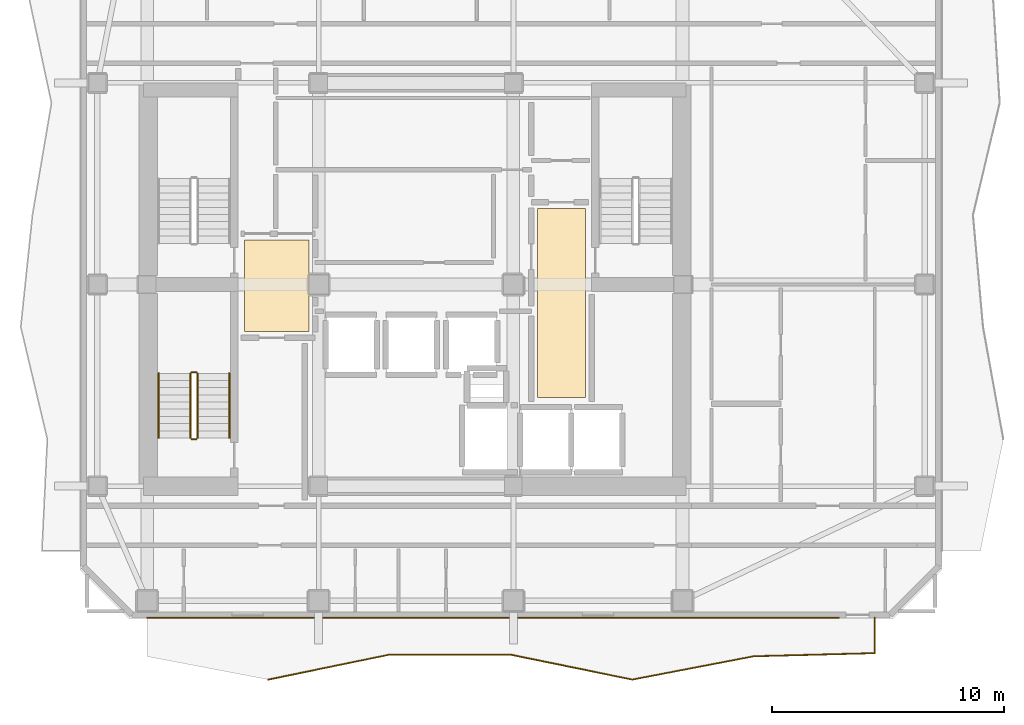
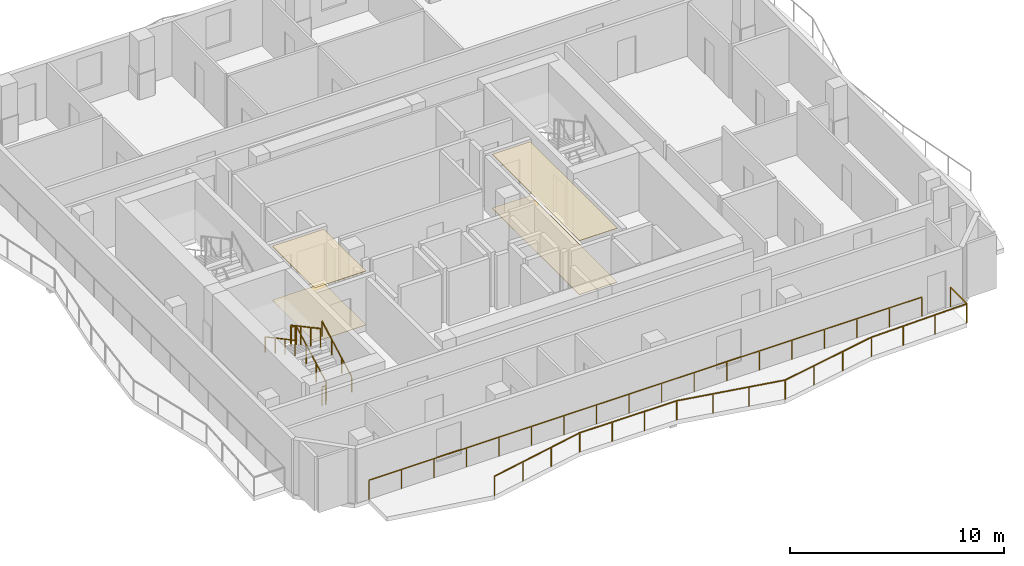
# One storey, part 7 of 9: 8 railings, 4 coverings.
"""IFC4 building model written with IfcOpenShell, lengths in metres."""

from ifc_helpers import new_model, si_unit, direction, frame, origin, origin_2d, place, context, subcontext, project, spatial, polyline, rectangle, outline, extrude, material, layer, layer_set, type_object, element, save


model = new_model("IFC4")

# Units and contexts
model_context = context("Model", 3, precision=1e-05, world=origin(), true_north=direction((0.0, 1.0)))
body_context = subcontext(model_context, "Body", "Model", "MODEL_VIEW")
ifc_project = project(units=[si_unit("LENGTHUNIT", "METRE"), si_unit("AREAUNIT", "SQUARE_METRE"), si_unit("VOLUMEUNIT", "CUBIC_METRE"), si_unit("PLANEANGLEUNIT", "RADIAN"), si_unit("MASSUNIT", "GRAM", prefix="KILO")], contexts=[model_context])

# Site, building, storey
site_placement = place(None, origin())
site = spatial("IfcSite", under=ifc_project, at=site_placement, CompositionType="ELEMENT")
building_placement = place(site_placement, origin())
building = spatial("IfcBuilding", under=site, at=building_placement, Name="Solanera Arch Residences", CompositionType="ELEMENT")
storey_placement = place(building_placement, frame((0.0, 0.0, 234.60009765625)))
storey = spatial("IfcBuildingStorey", under=building, at=storey_placement, Name="L68", CompositionType="ELEMENT", Elevation=234.60009765625)

# Railings
ifc_material_1 = material(Name="Steel S355 (ASTM A992 / A572 Grade 50)", Category="steel")
railing_type_1 = type_object("IfcRailingType", Name="Balustrade Railing BL-1100", PredefinedType="BALUSTRADE", material=ifc_material_1)
railing_1_placement = place(storey_placement, frame((18.633056640625, 13.652099609375, 0.0)))
element("IfcRailing", 1, at=railing_1_placement, inside=storey, type_object=railing_type_1, Name="L68 S Balcony Balustrade 1", PredefinedType="BALUSTRADE", context=body_context, shape_type="SweptSolid", body=[
    extrude(rectangle(XDim=0.048095703125, YDim=0.048095703125, at=origin_2d()), frame((0.0, 0.0, 1.09619140625), z_axis=(0.979409244872, 0.201884945102, 0.0), x_axis=(-0.201884945102, 0.979409244872, 0.0)), (0.0, 0.0, 1.0), 5.343994140625),
    extrude(rectangle(XDim=0.048095703125, YDim=0.048095703125, at=origin_2d()), frame((5.23388671875, 1.078857421875, 1.09619140625), z_axis=(0.999998814913, -0.001539536314, 0.0), x_axis=(0.001539536314, 0.999998814913, 0.0)), (0.0, 0.0, 1.0), 5.233154296875),
    extrude(rectangle(XDim=0.048095703125, YDim=0.048095703125, at=origin_2d()), frame((10.467041015625, 1.07080078125, 1.09619140625), z_axis=(0.979654112586, -0.200693347409, 0.0), x_axis=(0.200693347409, 0.979654112586, 0.0)), (0.0, 0.0, 1.0), 5.341552734375),
    extrude(rectangle(XDim=0.048095703125, YDim=0.048095703125, at=origin_2d()), frame((15.699951171875, -0.001220703125, 1.09619140625), z_axis=(0.982020820235, 0.188772637382, 0.0), x_axis=(-0.188772637382, 0.982020820235, 0.0)), (0.0, 0.0, 1.0), 5.32958984375),
    extrude(rectangle(XDim=0.048095703125, YDim=0.048095703125, at=origin_2d()), frame((20.933837890625, 1.0048828125, 1.09619140625), z_axis=(0.999667373717, 0.025790345587, 0.0), x_axis=(-0.025790345587, 0.999667373717, 0.0)), (0.0, 0.0, 1.0), 5.23486328125),
    extrude(rectangle(XDim=0.048095703125, YDim=0.048095703125, at=origin_2d()), frame((26.1669921875, 1.139892578125, 1.09619140625), z_axis=(0.0, 1.0, 0.0), x_axis=(-1.0, 0.0, 0.0)), (0.0, 0.0, 1.0), 1.528076171875),
    extrude(rectangle(XDim=0.0419921875, YDim=0.0419921875, at=origin_2d()), origin(), (0.0, 0.0, 1.0), 1.072021484375),
    extrude(rectangle(XDim=0.0419921875, YDim=0.0419921875, at=origin_2d()), frame((1.74462890625, 0.359619140625, 0.0)), (0.0, 0.0, 1.0), 1.072021484375),
    extrude(rectangle(XDim=0.0419921875, YDim=0.0419921875, at=origin_2d()), frame((3.4892578125, 0.71923828125, 0.0)), (0.0, 0.0, 1.0), 1.072021484375),
    extrude(rectangle(XDim=0.0419921875, YDim=0.0419921875, at=origin_2d()), frame((5.23388671875, 1.078857421875, 0.0)), (0.0, 0.0, 1.0), 1.072021484375),
    extrude(rectangle(XDim=0.0419921875, YDim=0.0419921875, at=origin_2d()), frame((6.978271484375, 1.076171875, 0.0)), (0.0, 0.0, 1.0), 1.072021484375),
    extrude(rectangle(XDim=0.0419921875, YDim=0.0419921875, at=origin_2d()), frame((8.72265625, 1.073486328125, 0.0)), (0.0, 0.0, 1.0), 1.072021484375),
    extrude(rectangle(XDim=0.0419921875, YDim=0.0419921875, at=origin_2d()), frame((10.467041015625, 1.07080078125, 0.0)), (0.0, 0.0, 1.0), 1.072021484375),
    extrude(rectangle(XDim=0.0419921875, YDim=0.0419921875, at=origin_2d()), frame((12.21142578125, 0.71337890625, 0.0)), (0.0, 0.0, 1.0), 1.072021484375),
    extrude(rectangle(XDim=0.0419921875, YDim=0.0419921875, at=origin_2d()), frame((13.95556640625, 0.356201171875, 0.0)), (0.0, 0.0, 1.0), 1.072021484375),
    extrude(rectangle(XDim=0.0419921875, YDim=0.0419921875, at=origin_2d()), frame((15.699951171875, -0.001220703125, 0.0)), (0.0, 0.0, 1.0), 1.072021484375),
    extrude(rectangle(XDim=0.0419921875, YDim=0.0419921875, at=origin_2d()), frame((17.444580078125, 0.334228515625, 0.0)), (0.0, 0.0, 1.0), 1.072021484375),
    extrude(rectangle(XDim=0.0419921875, YDim=0.0419921875, at=origin_2d()), frame((19.189208984375, 0.66943359375, 0.0)), (0.0, 0.0, 1.0), 1.072021484375),
    extrude(rectangle(XDim=0.0419921875, YDim=0.0419921875, at=origin_2d()), frame((20.933837890625, 1.0048828125, 0.0)), (0.0, 0.0, 1.0), 1.072021484375),
    extrude(rectangle(XDim=0.0419921875, YDim=0.0419921875, at=origin_2d()), frame((22.67822265625, 1.0498046875, 0.0)), (0.0, 0.0, 1.0), 1.072021484375),
    extrude(rectangle(XDim=0.0419921875, YDim=0.0419921875, at=origin_2d()), frame((24.422607421875, 1.094970703125, 0.0)), (0.0, 0.0, 1.0), 1.072021484375),
    extrude(rectangle(XDim=0.0419921875, YDim=0.0419921875, at=origin_2d()), frame((26.1669921875, 1.139892578125, 0.0)), (0.0, 0.0, 1.0), 1.072021484375),
    extrude(rectangle(XDim=0.0419921875, YDim=0.0419921875, at=origin_2d()), frame((26.1669921875, 2.66796875, 0.0)), (0.0, 0.0, 1.0), 1.072021484375),
])
railing_2_placement = place(storey_placement, frame((43.248046875, 16.320068359375, 0.0)))
element("IfcRailing", 2, at=railing_2_placement, inside=storey, type_object=railing_type_1, Name="L68 S Balcony Balustrade 2", PredefinedType="BALUSTRADE", context=body_context, shape_type="SweptSolid", body=[
    extrude(rectangle(XDim=0.048095703125, YDim=0.048095703125, at=origin_2d()), frame((0.0, 0.0, 1.09619140625), z_axis=(-1.0, 0.0, 0.0), x_axis=(0.0, -1.0, 0.0)), (0.0, 0.0, 1.0), 29.84814453125),
    extrude(rectangle(XDim=0.0419921875, YDim=0.0419921875, at=origin_2d()), origin(), (0.0, 0.0, 1.0), 1.072021484375),
    extrude(rectangle(XDim=0.0419921875, YDim=0.0419921875, at=origin_2d()), frame((-1.755859375, 0.0, 0.0)), (0.0, 0.0, 1.0), 1.072021484375),
    extrude(rectangle(XDim=0.0419921875, YDim=0.0419921875, at=origin_2d()), frame((-3.511474609375, 0.0, 0.0)), (0.0, 0.0, 1.0), 1.072021484375),
    extrude(rectangle(XDim=0.0419921875, YDim=0.0419921875, at=origin_2d()), frame((-5.267333984375, 0.0, 0.0)), (0.0, 0.0, 1.0), 1.072021484375),
    extrude(rectangle(XDim=0.0419921875, YDim=0.0419921875, at=origin_2d()), frame((-7.023193359375, 0.0, 0.0)), (0.0, 0.0, 1.0), 1.072021484375),
    extrude(rectangle(XDim=0.0419921875, YDim=0.0419921875, at=origin_2d()), frame((-8.77880859375, 0.0, 0.0)), (0.0, 0.0, 1.0), 1.072021484375),
    extrude(rectangle(XDim=0.0419921875, YDim=0.0419921875, at=origin_2d()), frame((-10.53466796875, 0.0, 0.0)), (0.0, 0.0, 1.0), 1.072021484375),
    extrude(rectangle(XDim=0.0419921875, YDim=0.0419921875, at=origin_2d()), frame((-12.29052734375, 0.0, 0.0)), (0.0, 0.0, 1.0), 1.072021484375),
    extrude(rectangle(XDim=0.0419921875, YDim=0.0419921875, at=origin_2d()), frame((-14.046142578125, 0.0, 0.0)), (0.0, 0.0, 1.0), 1.072021484375),
    extrude(rectangle(XDim=0.0419921875, YDim=0.0419921875, at=origin_2d()), frame((-15.802001953125, 0.0, 0.0)), (0.0, 0.0, 1.0), 1.072021484375),
    extrude(rectangle(XDim=0.0419921875, YDim=0.0419921875, at=origin_2d()), frame((-17.5576171875, 0.0, 0.0)), (0.0, 0.0, 1.0), 1.072021484375),
    extrude(rectangle(XDim=0.0419921875, YDim=0.0419921875, at=origin_2d()), frame((-19.3134765625, 0.0, 0.0)), (0.0, 0.0, 1.0), 1.072021484375),
    extrude(rectangle(XDim=0.0419921875, YDim=0.0419921875, at=origin_2d()), frame((-21.0693359375, 0.0, 0.0)), (0.0, 0.0, 1.0), 1.072021484375),
    extrude(rectangle(XDim=0.0419921875, YDim=0.0419921875, at=origin_2d()), frame((-22.824951171875, 0.0, 0.0)), (0.0, 0.0, 1.0), 1.072021484375),
    extrude(rectangle(XDim=0.0419921875, YDim=0.0419921875, at=origin_2d()), frame((-24.580810546875, 0.0, 0.0)), (0.0, 0.0, 1.0), 1.072021484375),
    extrude(rectangle(XDim=0.0419921875, YDim=0.0419921875, at=origin_2d()), frame((-26.336669921875, 0.0, 0.0)), (0.0, 0.0, 1.0), 1.072021484375),
    extrude(rectangle(XDim=0.0419921875, YDim=0.0419921875, at=origin_2d()), frame((-28.09228515625, 0.0, 0.0)), (0.0, 0.0, 1.0), 1.072021484375),
    extrude(rectangle(XDim=0.0419921875, YDim=0.0419921875, at=origin_2d()), frame((-29.84814453125, 0.0, 0.0)), (0.0, 0.0, 1.0), 1.072021484375),
])

# Coverings
ifc_material_2 = material(Name="Porcelain Acoustic Floor Tile", Category="ceramic")
ifc_layer_1 = layer(ifc_material_2, 0.02001953125)
ifc_layer_set_1 = layer_set([ifc_layer_1], Name="Porcelain Acoustic Floor Tile")
covering_type_1 = type_object("IfcCoveringType", Name="Porcelain Acoustic Floor Finish FLR-20", PredefinedType="FLOORING", material=ifc_layer_set_1)
covering_1_placement = place(storey_placement, origin())
element("IfcCovering", 3, at=covering_1_placement, inside=storey, type_object=covering_type_1, Name="L68-FFL-W Porcelain Floor Finish", PredefinedType="FLOORING", context=body_context, shape_type="SweptSolid", body=[
    extrude(outline(polyline([(20.375, 28.675048828125), (17.594970703125, 28.675048828125), (17.594970703125, 32.625), (20.375, 32.625), (20.375, 28.675048828125)])), origin(), (0.0, 0.0, 1.0), 0.02001953125),
])
covering_2_placement = place(storey_placement, origin())
element("IfcCovering", 4, at=covering_2_placement, inside=storey, type_object=covering_type_1, Name="L68-FFL-E Porcelain Floor Finish", PredefinedType="FLOORING", context=body_context, shape_type="SweptSolid", body=[
    extrude(outline(polyline([(32.304931640625, 25.824951171875), (30.25, 25.824951171875), (30.25, 33.97509765625), (32.304931640625, 33.97509765625), (32.304931640625, 25.824951171875)])), origin(), (0.0, 0.0, 1.0), 0.02001953125),
])

# Railings
ifc_material_3 = material(Name="Steel S355 (ASTM A992 / A572 Grade 50)", Category="steel")
railing_type_2 = type_object("IfcRailingType", Name="Stair Guardrail GR-1100", PredefinedType="GUARDRAIL", material=ifc_material_3)
railing_3_placement = place(storey_placement, frame((15.570068359375, 24.080078125, 0.15087890625)))
element("IfcRailing", 5, at=railing_3_placement, inside=storey, type_object=railing_type_2, Name="L68 ST-T3 stair guard 1", PredefinedType="GUARDRAIL", context=body_context, shape_type="SweptSolid", body=[
    extrude(rectangle(XDim=0.048095703125, YDim=0.048095703125, at=origin_2d()), frame((0.0, 0.0, 1.076171875), z_axis=(0.0, 0.881548766853, 0.472092969298), x_axis=(-1.0, 0.0, 0.0)), (0.0, 0.0, 1.0), 3.1650390625),
    extrude(rectangle(XDim=0.0419921875, YDim=0.0419921875, at=origin_2d()), origin(), (0.0, 0.0, 1.0), 1.052001953125),
    extrude(rectangle(XDim=0.0419921875, YDim=0.0419921875, at=origin_2d()), frame((0.0, 0.929931640625, 0.498046875)), (0.0, 0.0, 1.0), 1.052001953125),
    extrude(rectangle(XDim=0.0419921875, YDim=0.0419921875, at=origin_2d()), frame((0.0, 1.860107421875, 0.99609375)), (0.0, 0.0, 1.0), 1.052001953125),
    extrude(rectangle(XDim=0.0419921875, YDim=0.0419921875, at=origin_2d()), frame((0.0, 2.7900390625, 1.494140625)), (0.0, 0.0, 1.0), 1.052001953125),
])
railing_4_placement = place(storey_placement, frame((15.52001953125, 26.919921875, 1.64501953125)))
element("IfcRailing", 6, at=railing_4_placement, inside=storey, type_object=railing_type_2, Name="L68 ST-T3 stair guard 2", PredefinedType="GUARDRAIL", context=body_context, shape_type="SweptSolid", body=[
    extrude(rectangle(XDim=0.048095703125, YDim=0.048095703125, at=origin_2d()), frame((0.0, 0.0, 1.076171875), z_axis=(-1.0, 0.0, 0.0), x_axis=(0.0, -1.0, 0.0)), (0.0, 0.0, 1.0), 0.199951171875),
    extrude(rectangle(XDim=0.0419921875, YDim=0.0419921875, at=origin_2d()), origin(), (0.0, 0.0, 1.0), 1.052001953125),
    extrude(rectangle(XDim=0.0419921875, YDim=0.0419921875, at=origin_2d()), frame((-0.199951171875, 0.0, 0.0)), (0.0, 0.0, 1.0), 1.052001953125),
])
railing_5_placement = place(storey_placement, frame((15.27001953125, 26.8701171875, 1.810791015625)))
element("IfcRailing", 7, at=railing_5_placement, inside=storey, type_object=railing_type_2, Name="L68 ST-T3 stair guard 3", PredefinedType="GUARDRAIL", context=body_context, shape_type="SweptSolid", body=[
    extrude(rectangle(XDim=0.048095703125, YDim=0.048095703125, at=origin_2d()), frame((0.0, 0.0, 1.076171875), z_axis=(0.0, -0.881548766853, 0.472092969298), x_axis=(1.0, 0.0, 0.0)), (0.0, 0.0, 1.0), 3.1650390625),
    extrude(rectangle(XDim=0.0419921875, YDim=0.0419921875, at=origin_2d()), origin(), (0.0, 0.0, 1.0), 1.052001953125),
    extrude(rectangle(XDim=0.0419921875, YDim=0.0419921875, at=origin_2d()), frame((0.0, -0.929931640625, 0.498046875)), (0.0, 0.0, 1.0), 1.052001953125),
    extrude(rectangle(XDim=0.0419921875, YDim=0.0419921875, at=origin_2d()), frame((0.0, -1.860107421875, 0.99609375)), (0.0, 0.0, 1.0), 1.052001953125),
    extrude(rectangle(XDim=0.0419921875, YDim=0.0419921875, at=origin_2d()), frame((0.0, -2.7900390625, 1.494140625)), (0.0, 0.0, 1.0), 1.052001953125),
])
railing_6_placement = place(storey_placement, frame((15.52001953125, 24.030029296875, -0.01513671875)))
element("IfcRailing", 8, at=railing_6_placement, inside=storey, type_object=railing_type_2, Name="L68 ST-T3 stair guard 4", PredefinedType="GUARDRAIL", context=body_context, shape_type="SweptSolid", body=[
    extrude(rectangle(XDim=0.048095703125, YDim=0.048095703125, at=origin_2d()), frame((0.0, 0.0, 1.076171875), z_axis=(-1.0, 0.0, 0.0), x_axis=(0.0, -1.0, 0.0)), (0.0, 0.0, 1.0), 0.199951171875),
    extrude(rectangle(XDim=0.0419921875, YDim=0.0419921875, at=origin_2d()), origin(), (0.0, 0.0, 1.0), 1.052001953125),
    extrude(rectangle(XDim=0.0419921875, YDim=0.0419921875, at=origin_2d()), frame((-0.199951171875, 0.0, 0.0)), (0.0, 0.0, 1.0), 1.052001953125),
])
ifc_material_4 = material(Name="Steel S355 (ASTM A992 / A572 Grade 50)", Category="steel")
railing_type_3 = type_object("IfcRailingType", Name="Stair Wall Handrail HR-920", PredefinedType="HANDRAIL", material=ifc_material_4)
railing_7_placement = place(storey_placement, frame((16.949951171875, 24.080078125, 0.166015625)))
element("IfcRailing", 9, at=railing_7_placement, inside=storey, type_object=railing_type_3, Name="L68 ST-T3 stair handrail 1", PredefinedType="HANDRAIL", context=body_context, shape_type="SweptSolid", body=[
    extrude(rectangle(XDim=0.048095703125, YDim=0.048095703125, at=origin_2d()), frame((0.0, 0.0, 0.8759765625), z_axis=(0.0, 0.881580869306, 0.472033018838), x_axis=(-1.0, 0.0, 0.0)), (0.0, 0.0, 1.0), 3.164794921875),
    extrude(rectangle(XDim=0.0419921875, YDim=0.0419921875, at=origin_2d()), origin(), (0.0, 0.0, 1.0), 0.851806640625),
    extrude(rectangle(XDim=0.0419921875, YDim=0.0419921875, at=origin_2d()), frame((0.0, 0.929931640625, 0.498046875)), (0.0, 0.0, 1.0), 0.851806640625),
    extrude(rectangle(XDim=0.0419921875, YDim=0.0419921875, at=origin_2d()), frame((0.0, 1.860107421875, 0.995849609375)), (0.0, 0.0, 1.0), 0.851806640625),
    extrude(rectangle(XDim=0.0419921875, YDim=0.0419921875, at=origin_2d()), frame((0.0, 2.7900390625, 1.493896484375)), (0.0, 0.0, 1.0), 0.851806640625),
])
railing_8_placement = place(storey_placement, frame((13.889892578125, 26.8701171875, 1.825927734375)))
element("IfcRailing", 10, at=railing_8_placement, inside=storey, type_object=railing_type_3, Name="L68 ST-T3 stair handrail 2", PredefinedType="HANDRAIL", context=body_context, shape_type="SweptSolid", body=[
    extrude(rectangle(XDim=0.048095703125, YDim=0.048095703125, at=origin_2d()), frame((0.0, 0.0, 0.8759765625), z_axis=(0.0, -0.881580869306, 0.472033018838), x_axis=(1.0, 0.0, 0.0)), (0.0, 0.0, 1.0), 3.164794921875),
    extrude(rectangle(XDim=0.0419921875, YDim=0.0419921875, at=origin_2d()), origin(), (0.0, 0.0, 1.0), 0.851806640625),
    extrude(rectangle(XDim=0.0419921875, YDim=0.0419921875, at=origin_2d()), frame((0.0, -0.929931640625, 0.498046875)), (0.0, 0.0, 1.0), 0.851806640625),
    extrude(rectangle(XDim=0.0419921875, YDim=0.0419921875, at=origin_2d()), frame((0.0, -1.860107421875, 0.995849609375)), (0.0, 0.0, 1.0), 0.851806640625),
    extrude(rectangle(XDim=0.0419921875, YDim=0.0419921875, at=origin_2d()), frame((0.0, -2.7900390625, 1.493896484375)), (0.0, 0.0, 1.0), 0.851806640625),
])

# Coverings
ifc_material_5 = material(Name="Mineral Fibre Acoustic Ceiling Board", Category="gypsum")
ifc_layer_2 = layer(ifc_material_5, 0.02490234375)
ifc_layer_set_2 = layer_set([ifc_layer_2], Name="Mineral Fibre Acoustic Ceiling Board")
covering_type_2 = type_object("IfcCoveringType", Name="Suspended Acoustic Ceiling Board CLG-25", PredefinedType="CEILING", material=ifc_layer_set_2)
covering_3_placement = place(storey_placement, frame((0.0, 0.0, 3.074951171875)))
element("IfcCovering", 11, at=covering_3_placement, inside=storey, type_object=covering_type_2, Name="L68-FFL-W Acoustic Ceiling", PredefinedType="CEILING", context=body_context, shape_type="SweptSolid", body=[
    extrude(outline(polyline([(20.375, 28.675048828125), (17.594970703125, 28.675048828125), (17.594970703125, 32.625), (20.375, 32.625), (20.375, 28.675048828125)])), origin(), (0.0, 0.0, 1.0), 0.02490234375),
])
covering_4_placement = place(storey_placement, frame((0.0, 0.0, 3.074951171875)))
element("IfcCovering", 12, at=covering_4_placement, inside=storey, type_object=covering_type_2, Name="L68-FFL-E Acoustic Ceiling", PredefinedType="CEILING", context=body_context, shape_type="SweptSolid", body=[
    extrude(outline(polyline([(32.304931640625, 25.824951171875), (30.25, 25.824951171875), (30.25, 33.97509765625), (32.304931640625, 33.97509765625), (32.304931640625, 25.824951171875)])), origin(), (0.0, 0.0, 1.0), 0.02490234375),
])

save(model, "model.ifc")
